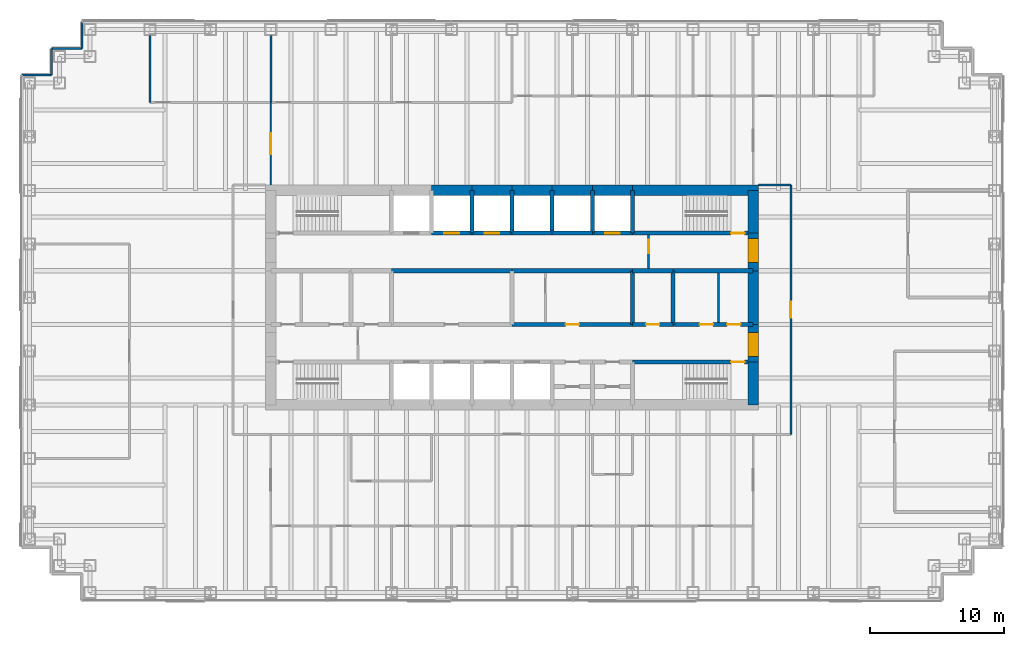
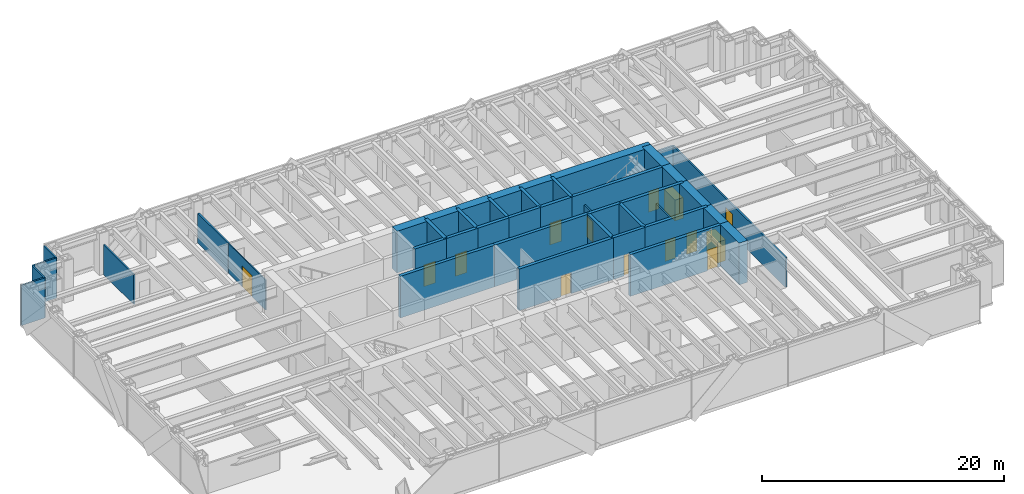
# One storey, part 13 of 16: 43 walls, 14 doors, 14 openings.
"""IFC4 building model written with IfcOpenShell, lengths in metres."""

from ifc_helpers import new_model, si_unit, direction, frame, frame_2d, origin, place, context, subcontext, project, spatial, rectangle, extrude, material, layer, layer_set, type_object, element, fill, save


model = new_model("IFC4")

# Units and contexts
model_context = context("Model", 3, precision=1e-05, world=origin(), true_north=direction((0.0, 1.0)))
body_context = subcontext(model_context, "Body", "Model", "MODEL_VIEW")
ifc_project = project(units=[si_unit("LENGTHUNIT", "METRE"), si_unit("AREAUNIT", "SQUARE_METRE"), si_unit("VOLUMEUNIT", "CUBIC_METRE"), si_unit("PLANEANGLEUNIT", "RADIAN"), si_unit("MASSUNIT", "GRAM", prefix="KILO")], contexts=[model_context])

# Site, building, storey
site_placement = place(None, origin())
site = spatial("IfcSite", under=ifc_project, at=site_placement, CompositionType="ELEMENT")
building_placement = place(site_placement, origin())
building = spatial("IfcBuilding", under=site, at=building_placement, Name="Rheinbord Bourse Tower", CompositionType="ELEMENT")
storey_placement = place(building_placement, frame((0.0, 0.0, 219.39990234375)))
storey = spatial("IfcBuildingStorey", under=building, at=storey_placement, Name="L49", CompositionType="ELEMENT", Elevation=219.39990234375)

# Wall, opening, door
ifc_material_1 = material(Name="Concrete C50/60", Category="concrete")
ifc_layer_1 = layer(ifc_material_1, 0.300048828125)
ifc_layer_set_1 = layer_set([ifc_layer_1], Name="CORE INNER WALL 300")
wall_type_1 = type_object("IfcWallType", Name="CORE INNER WALL 300", PredefinedType="SOLIDWALL", material=ifc_layer_set_1)
wall_1_placement = place(storey_placement, frame((45.0, 19.199951171875, 0.0), z_axis=(0.0, 0.0, 1.0), x_axis=(1.0, 0.0, 0.0)))
wall_1 = element("IfcWall", 1, at=wall_1_placement, inside=storey, type_object=wall_type_1, Name="Core wall A8 L49", PredefinedType="SOLIDWALL", context=body_context, shape_type="SweptSolid", body=[
    extrude(rectangle(XDim=9.0, YDim=0.300048828125, at=frame_2d((4.5, 0.0))), origin(), (0.0, 0.0, 1.0), 4.2001953125),
])
opening_1_placement = place(wall_1_placement, frame((7.35009765625, 0.0, 0.0)))
opening_1 = element("IfcOpeningElement", 2, at=opening_1_placement, cuts=wall_1, Name="Opening 4930", PredefinedType="OPENING", context=body_context, shape_type="SweptSolid", body=[
    extrude(rectangle(XDim=1.0, YDim=2.10009765625, at=frame_2d((0.5, 1.050048828125))), frame((0.0, 0.159912109375, 0.0), z_axis=(0.0, -1.0, 0.0), x_axis=(1.0, 0.0, 0.0)), (0.0, 0.0, 1.0), 0.320068359375),
])
ifc_material_2 = material(Name="Steel door", Category="steel")
door_type_1 = type_object("IfcDoorType", Name="DOOR 1000 EI30", OperationType="SINGLE_SWING_LEFT", PredefinedType="DOOR", material=ifc_material_2)
door_1_placement = place(opening_1_placement, origin())
door_1 = element("IfcDoor", 3, at=door_1_placement, inside=storey, type_object=door_type_1, Name="Stair door ST3 L49", OperationType="SINGLE_SWING_RIGHT", OverallHeight=2.10009765625, OverallWidth=1.0, PredefinedType="DOOR", context=body_context, shape_type="SweptSolid", body=[
    extrude(rectangle(XDim=1.0, YDim=2.10009765625, at=frame_2d((0.5, 1.050048828125))), frame((0.0, 0.02490234375, 0.0), z_axis=(0.0, -1.0, 0.0), x_axis=(1.0, 0.0, 0.0)), (0.0, 0.0, 1.0), 0.050048828125),
])
fill(opening_1, door_1)

wall_2_placement = place(storey_placement, frame((30.0, 28.800048828125, 0.0), z_axis=(0.0, 0.0, 1.0), x_axis=(1.0, 0.0, 0.0)))
wall_2 = element("IfcWall", 4, at=wall_2_placement, inside=storey, type_object=wall_type_1, Name="Core wall B3 L49", PredefinedType="SOLIDWALL", context=body_context, shape_type="SweptSolid", body=[
    extrude(rectangle(XDim=3.0, YDim=0.300048828125, at=frame_2d((1.5, 0.0))), origin(), (0.0, 0.0, 1.0), 4.2001953125),
])
opening_2_placement = place(wall_2_placement, frame((0.949951171875, 0.0, 0.0)))
opening_2 = element("IfcOpeningElement", 5, at=opening_2_placement, cuts=wall_2, Name="Opening PC4", PredefinedType="OPENING", context=body_context, shape_type="SweptSolid", body=[
    extrude(rectangle(XDim=1.10009765625, YDim=2.199951171875, at=frame_2d((0.550048828125, 1.10009765625))), frame((0.0, 0.159912109375, 0.0), z_axis=(0.0, -1.0, 0.0), x_axis=(1.0, 0.0, 0.0)), (0.0, 0.0, 1.0), 0.320068359375),
])
ifc_material_3 = material(Name="Steel landing door", Category="steel")
door_type_2 = type_object("IfcDoorType", Name="LIFT LANDING DOOR 1100", OperationType="DOUBLE_DOOR_SLIDING", PredefinedType="USERDEFINED", material=ifc_material_3)
door_2_placement = place(opening_2_placement, origin())
door_2 = element("IfcDoor", 6, at=door_2_placement, inside=storey, type_object=door_type_2, Name="Lift landing door PC4 L49", ObjectType="LIFT LANDING DOOR", OperationType="DOUBLE_DOOR_SLIDING", OverallHeight=2.199951171875, OverallWidth=1.10009765625, PredefinedType="USERDEFINED", context=body_context, shape_type="SweptSolid", body=[
    extrude(rectangle(XDim=1.10009765625, YDim=2.199951171875, at=frame_2d((0.550048828125, 1.10009765625))), frame((0.0, 0.02490234375, 0.0), z_axis=(0.0, -1.0, 0.0), x_axis=(1.0, 0.0, 0.0)), (0.0, 0.0, 1.0), 0.050048828125),
])
fill(opening_2, door_2)

wall_3_placement = place(storey_placement, frame((33.0, 28.800048828125, 0.0), z_axis=(0.0, 0.0, 1.0), x_axis=(1.0, 0.0, 0.0)))
wall_3 = element("IfcWall", 7, at=wall_3_placement, inside=storey, type_object=wall_type_1, Name="Core wall B4 L49", PredefinedType="SOLIDWALL", context=body_context, shape_type="SweptSolid", body=[
    extrude(rectangle(XDim=3.0, YDim=0.300048828125, at=frame_2d((1.5, 0.0))), origin(), (0.0, 0.0, 1.0), 4.2001953125),
])
opening_3_placement = place(wall_3_placement, frame((0.949951171875, 0.0, 0.0)))
opening_3 = element("IfcOpeningElement", 8, at=opening_3_placement, cuts=wall_3, Name="Opening PC5", PredefinedType="OPENING", context=body_context, shape_type="SweptSolid", body=[
    extrude(rectangle(XDim=1.10009765625, YDim=2.199951171875, at=frame_2d((0.550048828125, 1.10009765625))), frame((0.0, 0.159912109375, 0.0), z_axis=(0.0, -1.0, 0.0), x_axis=(1.0, 0.0, 0.0)), (0.0, 0.0, 1.0), 0.320068359375),
])
door_3_placement = place(opening_3_placement, origin())
door_3 = element("IfcDoor", 9, at=door_3_placement, inside=storey, type_object=door_type_2, Name="Lift landing door PC5 L49", ObjectType="LIFT LANDING DOOR", OperationType="DOUBLE_DOOR_SLIDING", OverallHeight=2.199951171875, OverallWidth=1.10009765625, PredefinedType="USERDEFINED", context=body_context, shape_type="SweptSolid", body=[
    extrude(rectangle(XDim=1.10009765625, YDim=2.199951171875, at=frame_2d((0.550048828125, 1.10009765625))), frame((0.0, 0.02490234375, 0.0), z_axis=(0.0, -1.0, 0.0), x_axis=(1.0, 0.0, 0.0)), (0.0, 0.0, 1.0), 0.050048828125),
])
fill(opening_3, door_3)

# Walls
for number, where, z_axis, x_axis, name in (
    (10, (36.0, 28.800048828125, 0.0), (0.0, 0.0, 1.0), (1.0, 0.0, 0.0), "Core wall B5 L49"),
    (11, (39.0, 28.800048828125, 0.0), (0.0, 0.0, 1.0), (1.0, 0.0, 0.0), "Core wall B6 L49"),
):
    element("IfcWall", number, at=place(storey_placement, frame(where, z_axis=z_axis, x_axis=x_axis)), inside=storey, type_object=wall_type_1, Name=name, PredefinedType="SOLIDWALL", context=body_context, shape_type="SweptSolid", body=[
        extrude(rectangle(XDim=3.0, YDim=0.300048828125, at=frame_2d((1.5, 0.0))), origin(), (0.0, 0.0, 1.0), 4.2001953125),
    ])

# Wall, opening, door
wall_4_placement = place(storey_placement, frame((42.0, 28.800048828125, 0.0), z_axis=(0.0, 0.0, 1.0), x_axis=(1.0, 0.0, 0.0)))
wall_4 = element("IfcWall", 12, at=wall_4_placement, inside=storey, type_object=wall_type_1, Name="Core wall B7 L49", PredefinedType="SOLIDWALL", context=body_context, shape_type="SweptSolid", body=[
    extrude(rectangle(XDim=3.0, YDim=0.300048828125, at=frame_2d((1.5, 0.0))), origin(), (0.0, 0.0, 1.0), 4.2001953125),
])
opening_4_placement = place(wall_4_placement, frame((0.949951171875, 0.0, 0.0)))
opening_4 = element("IfcOpeningElement", 13, at=opening_4_placement, cuts=wall_4, Name="Opening FL2", PredefinedType="OPENING", context=body_context, shape_type="SweptSolid", body=[
    extrude(rectangle(XDim=1.10009765625, YDim=2.199951171875, at=frame_2d((0.550048828125, 1.10009765625))), frame((0.0, 0.159912109375, 0.0), z_axis=(0.0, -1.0, 0.0), x_axis=(1.0, 0.0, 0.0)), (0.0, 0.0, 1.0), 0.320068359375),
])
door_4_placement = place(opening_4_placement, origin())
door_4 = element("IfcDoor", 14, at=door_4_placement, inside=storey, type_object=door_type_2, Name="Lift landing door FL2 L49", ObjectType="LIFT LANDING DOOR", OperationType="DOUBLE_DOOR_SLIDING", OverallHeight=2.199951171875, OverallWidth=1.10009765625, PredefinedType="USERDEFINED", context=body_context, shape_type="SweptSolid", body=[
    extrude(rectangle(XDim=1.10009765625, YDim=2.199951171875, at=frame_2d((0.550048828125, 1.10009765625))), frame((0.0, 0.02490234375, 0.0), z_axis=(0.0, -1.0, 0.0), x_axis=(1.0, 0.0, 0.0)), (0.0, 0.0, 1.0), 0.050048828125),
])
fill(opening_4, door_4)

wall_5_placement = place(storey_placement, frame((45.0, 28.800048828125, 0.0), z_axis=(0.0, 0.0, 1.0), x_axis=(1.0, 0.0, 0.0)))
wall_5 = element("IfcWall", 15, at=wall_5_placement, inside=storey, type_object=wall_type_1, Name="Core wall B8 L49", PredefinedType="SOLIDWALL", context=body_context, shape_type="SweptSolid", body=[
    extrude(rectangle(XDim=9.0, YDim=0.300048828125, at=frame_2d((4.5, 0.0))), origin(), (0.0, 0.0, 1.0), 4.2001953125),
])
opening_5_placement = place(wall_5_placement, frame((7.35009765625, 0.0, 0.0)))
opening_5 = element("IfcOpeningElement", 16, at=opening_5_placement, cuts=wall_5, Name="Opening 4940", PredefinedType="OPENING", context=body_context, shape_type="SweptSolid", body=[
    extrude(rectangle(XDim=1.0, YDim=2.10009765625, at=frame_2d((0.5, 1.050048828125))), frame((0.0, 0.159912109375, 0.0), z_axis=(0.0, -1.0, 0.0), x_axis=(1.0, 0.0, 0.0)), (0.0, 0.0, 1.0), 0.320068359375),
])
door_5_placement = place(opening_5_placement, origin())
door_5 = element("IfcDoor", 17, at=door_5_placement, inside=storey, type_object=door_type_1, Name="Stair door ST4 L49", OperationType="SINGLE_SWING_RIGHT", OverallHeight=2.10009765625, OverallWidth=1.0, PredefinedType="DOOR", context=body_context, shape_type="SweptSolid", body=[
    extrude(rectangle(XDim=1.0, YDim=2.10009765625, at=frame_2d((0.5, 1.050048828125))), frame((0.0, 0.02490234375, 0.0), z_axis=(0.0, -1.0, 0.0), x_axis=(1.0, 0.0, 0.0)), (0.0, 0.0, 1.0), 0.050048828125),
])
fill(opening_5, door_5)

wall_6_placement = place(storey_placement, frame((36.0, 22.0, 0.0), z_axis=(0.0, 0.0, 1.0), x_axis=(1.0, 0.0, 0.0)))
wall_6 = element("IfcWall", 18, at=wall_6_placement, inside=storey, type_object=wall_type_1, Name="Core wall C4 L49", PredefinedType="SOLIDWALL", context=body_context, shape_type="SweptSolid", body=[
    extrude(rectangle(XDim=9.0, YDim=0.300048828125, at=frame_2d((4.5, 0.0))), origin(), (0.0, 0.0, 1.0), 4.2001953125),
])
opening_6_placement = place(wall_6_placement, frame((4.0, 0.0, 0.0)))
opening_6 = element("IfcOpeningElement", 19, at=opening_6_placement, cuts=wall_6, Name="Opening 49R4", PredefinedType="OPENING", context=body_context, shape_type="SweptSolid", body=[
    extrude(rectangle(XDim=1.0, YDim=2.10009765625, at=frame_2d((0.5, 1.050048828125))), frame((0.0, 0.159912109375, 0.0), z_axis=(0.0, -1.0, 0.0), x_axis=(1.0, 0.0, 0.0)), (0.0, 0.0, 1.0), 0.320068359375),
])
door_6_placement = place(opening_6_placement, origin())
door_6 = element("IfcDoor", 20, at=door_6_placement, inside=storey, type_object=door_type_1, Name="Store door L49", OperationType="SINGLE_SWING_LEFT", OverallHeight=2.10009765625, OverallWidth=1.0, PredefinedType="DOOR", context=body_context, shape_type="SweptSolid", body=[
    extrude(rectangle(XDim=1.0, YDim=2.10009765625, at=frame_2d((0.5, 1.050048828125))), frame((0.0, 0.02490234375, 0.0), z_axis=(0.0, -1.0, 0.0), x_axis=(1.0, 0.0, 0.0)), (0.0, 0.0, 1.0), 0.050048828125),
])
fill(opening_6, door_6)

wall_7_placement = place(storey_placement, frame((45.0, 22.0, 0.0), z_axis=(0.0, 0.0, 1.0), x_axis=(1.0, 0.0, 0.0)))
wall_7 = element("IfcWall", 21, at=wall_7_placement, inside=storey, type_object=wall_type_1, Name="Core wall C5 L49", PredefinedType="SOLIDWALL", context=body_context, shape_type="SweptSolid", body=[
    extrude(rectangle(XDim=3.0, YDim=0.300048828125, at=frame_2d((1.5, 0.0))), origin(), (0.0, 0.0, 1.0), 4.2001953125),
])
opening_7_placement = place(wall_7_placement, frame((1.0, 0.0, 0.0)))
opening_7 = element("IfcOpeningElement", 22, at=opening_7_placement, cuts=wall_7, Name="Opening 49R5", PredefinedType="OPENING", context=body_context, shape_type="SweptSolid", body=[
    extrude(rectangle(XDim=1.0, YDim=2.10009765625, at=frame_2d((0.5, 1.050048828125))), frame((0.0, 0.159912109375, 0.0), z_axis=(0.0, -1.0, 0.0), x_axis=(1.0, 0.0, 0.0)), (0.0, 0.0, 1.0), 0.320068359375),
])
ifc_material_4 = material(Name="Timber door", Category="wood")
door_type_3 = type_object("IfcDoorType", Name="DOOR 1000 WC", OperationType="SINGLE_SWING_LEFT", PredefinedType="DOOR", material=ifc_material_4)
door_7_placement = place(opening_7_placement, origin())
door_7 = element("IfcDoor", 23, at=door_7_placement, inside=storey, type_object=door_type_3, Name="Accessible WC door L49", OperationType="SINGLE_SWING_LEFT", OverallHeight=2.10009765625, OverallWidth=1.0, PredefinedType="DOOR", context=body_context, shape_type="SweptSolid", body=[
    extrude(rectangle(XDim=1.0, YDim=2.10009765625, at=frame_2d((0.5, 1.050048828125))), frame((0.0, 0.02490234375, 0.0), z_axis=(0.0, -1.0, 0.0), x_axis=(1.0, 0.0, 0.0)), (0.0, 0.0, 1.0), 0.050048828125),
])
fill(opening_7, door_7)

# Wall, openings, doors
wall_8_placement = place(storey_placement, frame((48.0, 22.0, 0.0), z_axis=(0.0, 0.0, 1.0), x_axis=(1.0, 0.0, 0.0)))
wall_8 = element("IfcWall", 24, at=wall_8_placement, inside=storey, type_object=wall_type_1, Name="Core wall C6 L49", PredefinedType="SOLIDWALL", context=body_context, shape_type="SweptSolid", body=[
    extrude(rectangle(XDim=6.0, YDim=0.300048828125, at=frame_2d((3.0, 0.0))), origin(), (0.0, 0.0, 1.0), 4.2001953125),
])
opening_8_placement = place(wall_8_placement, frame((2.0, 0.0, 0.0)))
opening_8 = element("IfcOpeningElement", 25, at=opening_8_placement, cuts=wall_8, Name="Opening 49R6", PredefinedType="OPENING", context=body_context, shape_type="SweptSolid", body=[
    extrude(rectangle(XDim=1.0, YDim=2.10009765625, at=frame_2d((0.5, 1.050048828125))), frame((0.0, 0.159912109375, 0.0), z_axis=(0.0, -1.0, 0.0), x_axis=(1.0, 0.0, 0.0)), (0.0, 0.0, 1.0), 0.320068359375),
])
opening_9_placement = place(wall_8_placement, frame((4.050048828125, 0.0, 0.0)))
opening_9 = element("IfcOpeningElement", 26, at=opening_9_placement, cuts=wall_8, Name="Opening 49R10", PredefinedType="OPENING", context=body_context, shape_type="SweptSolid", body=[
    extrude(rectangle(XDim=1.0, YDim=2.10009765625, at=frame_2d((0.5, 1.050048828125))), frame((0.0, 0.159912109375, 0.0), z_axis=(0.0, -1.0, 0.0), x_axis=(1.0, 0.0, 0.0)), (0.0, 0.0, 1.0), 0.320068359375),
])
door_8_placement = place(opening_9_placement, origin())
door_8 = element("IfcDoor", 27, at=door_8_placement, inside=storey, type_object=door_type_1, Name="Baby change door L49", OperationType="SINGLE_SWING_RIGHT", OverallHeight=2.10009765625, OverallWidth=1.0, PredefinedType="DOOR", context=body_context, shape_type="SweptSolid", body=[
    extrude(rectangle(XDim=1.0, YDim=2.10009765625, at=frame_2d((0.5, 1.050048828125))), frame((0.0, 0.02490234375, 0.0), z_axis=(0.0, -1.0, 0.0), x_axis=(1.0, 0.0, 0.0)), (0.0, 0.0, 1.0), 0.050048828125),
])
fill(opening_9, door_8)
door_9_placement = place(opening_8_placement, origin())
door_9 = element("IfcDoor", 28, at=door_9_placement, inside=storey, type_object=door_type_3, Name="WC women door L49", OperationType="SINGLE_SWING_LEFT", OverallHeight=2.10009765625, OverallWidth=1.0, PredefinedType="DOOR", context=body_context, shape_type="SweptSolid", body=[
    extrude(rectangle(XDim=1.0, YDim=2.10009765625, at=frame_2d((0.5, 1.050048828125))), frame((0.0, 0.02490234375, 0.0), z_axis=(0.0, -1.0, 0.0), x_axis=(1.0, 0.0, 0.0)), (0.0, 0.0, 1.0), 0.050048828125),
])
fill(opening_8, door_9)

# Walls
for number, where, z_axis, x_axis, name in (
    (29, (27.0, 26.0, 0.0), (0.0, 0.0, 1.0), (1.0, 0.0, 0.0), "Core wall D3 L49"),
    (30, (36.0, 26.0, 0.0), (0.0, 0.0, 1.0), (1.0, 0.0, 0.0), "Core wall D4 L49"),
):
    element("IfcWall", number, at=place(storey_placement, frame(where, z_axis=z_axis, x_axis=x_axis)), inside=storey, type_object=wall_type_1, Name=name, PredefinedType="SOLIDWALL", context=body_context, shape_type="SweptSolid", body=[
        extrude(rectangle(XDim=9.0, YDim=0.300048828125, at=frame_2d((4.5, 0.0))), origin(), (0.0, 0.0, 1.0), 4.2001953125),
    ])
wall_9_placement = place(storey_placement, frame((45.0, 26.0, 0.0), z_axis=(0.0, 0.0, 1.0), x_axis=(1.0, 0.0, 0.0)))
element("IfcWall", 31, at=wall_9_placement, inside=storey, type_object=wall_type_1, Name="Core wall D5 L49", PredefinedType="SOLIDWALL", context=body_context, shape_type="SweptSolid", body=[
    extrude(rectangle(XDim=3.0, YDim=0.300048828125, at=frame_2d((1.5, 0.0))), origin(), (0.0, 0.0, 1.0), 4.2001953125),
])
wall_10_placement = place(storey_placement, frame((48.0, 26.0, 0.0), z_axis=(0.0, 0.0, 1.0), x_axis=(1.0, 0.0, 0.0)))
element("IfcWall", 32, at=wall_10_placement, inside=storey, type_object=wall_type_1, Name="Core wall D6 L49", PredefinedType="SOLIDWALL", context=body_context, shape_type="SweptSolid", body=[
    extrude(rectangle(XDim=6.0, YDim=0.300048828125, at=frame_2d((3.0, 0.0))), origin(), (0.0, 0.0, 1.0), 4.2001953125),
])
for number, where, z_axis, x_axis, name in (
    (33, (33.0, 28.800048828125, 0.0), (0.0, 0.0, 1.0), (0.0, 1.0, 0.0), "Core wall NX33 L49"),
    (34, (36.0, 28.800048828125, 0.0), (0.0, 0.0, 1.0), (0.0, 1.0, 0.0), "Core wall NX36 L49"),
    (35, (39.0, 28.800048828125, 0.0), (0.0, 0.0, 1.0), (0.0, 1.0, 0.0), "Core wall NX39 L49"),
    (36, (42.0, 28.800048828125, 0.0), (0.0, 0.0, 1.0), (0.0, 1.0, 0.0), "Core wall NX42 L49"),
    (37, (45.0, 28.800048828125, 0.0), (0.0, 0.0, 1.0), (0.0, 1.0, 0.0), "Core wall NX45 L49"),
):
    element("IfcWall", number, at=place(storey_placement, frame(where, z_axis=z_axis, x_axis=x_axis)), inside=storey, type_object=wall_type_1, Name=name, PredefinedType="SOLIDWALL", context=body_context, shape_type="SweptSolid", body=[
        extrude(rectangle(XDim=3.199951171875, YDim=0.300048828125, at=frame_2d((1.60009765625, 0.0))), origin(), (0.0, 0.0, 1.0), 4.2001953125),
    ])
for number, where, z_axis, x_axis, name in (
    (38, (45.0, 22.0, 0.0), (0.0, 0.0, 1.0), (0.0, 1.0, 0.0), "Core wall MX45 L49"),
    (39, (48.0, 22.0, 0.0), (0.0, 0.0, 1.0), (0.0, 1.0, 0.0), "Core wall MX48 L49"),
):
    element("IfcWall", number, at=place(storey_placement, frame(where, z_axis=z_axis, x_axis=x_axis)), inside=storey, type_object=wall_type_1, Name=name, PredefinedType="SOLIDWALL", context=body_context, shape_type="SweptSolid", body=[
        extrude(rectangle(XDim=4.0, YDim=0.300048828125, at=frame_2d((2.0, 0.0))), origin(), (0.0, 0.0, 1.0), 4.2001953125),
    ])
ifc_material_5 = material(Name="Gypsum board fire partition", Category="gypsum board")
ifc_layer_2 = layer(ifc_material_5, 0.14990234375)
ifc_layer_set_2 = layer_set([ifc_layer_2], Name="CORE PARTITION 150 EI30")
wall_type_2 = type_object("IfcWallType", Name="CORE PARTITION 150 EI30", PredefinedType="PARTITIONING", material=ifc_layer_set_2)
wall_11_placement = place(storey_placement, frame((51.425048828125, 22.14990234375, 0.0), z_axis=(0.0, 0.0, 1.0), x_axis=(0.0, 1.0, 0.0)))
element("IfcWall", 40, at=wall_11_placement, inside=storey, type_object=wall_type_2, Name="Core partition L49-3", PredefinedType="PARTITIONING", context=body_context, shape_type="SweptSolid", body=[
    extrude(rectangle(XDim=3.7001953125, YDim=0.14990234375, at=frame_2d((1.85009765625, 0.0))), origin(), (0.0, 0.0, 1.0), 3.0),
])

# Wall, opening, door
wall_12_placement = place(storey_placement, frame((46.199951171875, 26.14990234375, 0.0), z_axis=(0.0, 0.0, 1.0), x_axis=(0.0, 1.0, 0.0)))
wall_12 = element("IfcWall", 41, at=wall_12_placement, inside=storey, type_object=wall_type_2, Name="Core partition L49-5", PredefinedType="PARTITIONING", context=body_context, shape_type="SweptSolid", body=[
    extrude(rectangle(XDim=2.5, YDim=0.14990234375, at=frame_2d((1.25, 0.0))), origin(), (0.0, 0.0, 1.0), 3.0),
])
opening_10_placement = place(wall_12_placement, frame((1.14990234375, 0.0, 0.0)))
opening_10 = element("IfcOpeningElement", 42, at=opening_10_placement, cuts=wall_12, Name="Opening 49L6", PredefinedType="OPENING", context=body_context, shape_type="SweptSolid", body=[
    extrude(rectangle(XDim=1.0, YDim=2.10009765625, at=frame_2d((0.5, 1.050048828125))), frame((0.0, 0.0849609375, 0.0), z_axis=(0.0, -1.0, 0.0), x_axis=(1.0, 0.0, 0.0)), (0.0, 0.0, 1.0), 0.169921875),
])
door_10_placement = place(opening_10_placement, origin())
door_10 = element("IfcDoor", 43, at=door_10_placement, inside=storey, type_object=door_type_1, Name="Stair lobby door L49", OperationType="SINGLE_SWING_RIGHT", OverallHeight=2.10009765625, OverallWidth=1.0, PredefinedType="DOOR", context=body_context, shape_type="SweptSolid", body=[
    extrude(rectangle(XDim=1.0, YDim=2.10009765625, at=frame_2d((0.5, 1.050048828125))), frame((0.0, 0.02490234375, 0.0), z_axis=(0.0, -1.0, 0.0), x_axis=(1.0, 0.0, 0.0)), (0.0, 0.0, 1.0), 0.050048828125),
])
fill(opening_10, door_10)

# Walls
ifc_material_6 = material(Name="Concrete C50/60", Category="concrete")
ifc_layer_3 = layer(ifc_material_6, 0.800048828125)
ifc_layer_set_3 = layer_set([ifc_layer_3], Name="CORE WALL 800")
wall_type_3 = type_object("IfcWallType", Name="CORE WALL 800", PredefinedType="SHEAR", material=ifc_layer_set_3)
wall_13_placement = place(storey_placement, frame((54.39990234375, 32.0, 0.0), z_axis=(0.0, 0.0, 1.0), x_axis=(-1.0, 0.0, 0.0)))
element("IfcWall", 44, at=wall_13_placement, inside=storey, type_object=wall_type_3, Name="Core wall N1 L49", PredefinedType="SHEAR", context=body_context, shape_type="SweptSolid", body=[
    extrude(rectangle(XDim=9.39990234375, YDim=0.800048828125, at=frame_2d((4.699951171875, 0.0))), origin(), (0.0, 0.0, 1.0), 4.2001953125),
])
for number, where, z_axis, x_axis, name in (
    (45, (45.0, 32.0, 0.0), (0.0, 0.0, 1.0), (-1.0, 0.0, 0.0), "Core wall N2 L49"),
    (46, (42.0, 32.0, 0.0), (0.0, 0.0, 1.0), (-1.0, 0.0, 0.0), "Core wall N3 L49"),
    (47, (39.0, 32.0, 0.0), (0.0, 0.0, 1.0), (-1.0, 0.0, 0.0), "Core wall N4 L49"),
    (48, (36.0, 32.0, 0.0), (0.0, 0.0, 1.0), (-1.0, 0.0, 0.0), "Core wall N5 L49"),
    (49, (33.0, 32.0, 0.0), (0.0, 0.0, 1.0), (-1.0, 0.0, 0.0), "Core wall N6 L49"),
):
    element("IfcWall", number, at=place(storey_placement, frame(where, z_axis=z_axis, x_axis=x_axis)), inside=storey, type_object=wall_type_3, Name=name, PredefinedType="SHEAR", context=body_context, shape_type="SweptSolid", body=[
        extrude(rectangle(XDim=3.0, YDim=0.800048828125, at=frame_2d((1.5, 0.0))), origin(), (0.0, 0.0, 1.0), 4.2001953125),
    ])
wall_14_placement = place(storey_placement, frame((54.0, 16.0, 0.0), z_axis=(0.0, 0.0, 1.0), x_axis=(0.0, 1.0, 0.0)))
element("IfcWall", 50, at=wall_14_placement, inside=storey, type_object=wall_type_3, Name="Core wall E1 L49", PredefinedType="SHEAR", context=body_context, shape_type="SweptSolid", body=[
    extrude(rectangle(XDim=3.199951171875, YDim=0.800048828125, at=frame_2d((1.60009765625, 0.0))), origin(), (0.0, 0.0, 1.0), 4.2001953125),
])

# Wall, opening, door
wall_15_placement = place(storey_placement, frame((54.0, 19.199951171875, 0.0), z_axis=(0.0, 0.0, 1.0), x_axis=(0.0, 1.0, 0.0)))
wall_15 = element("IfcWall", 51, at=wall_15_placement, inside=storey, type_object=wall_type_3, Name="Core wall E2 L49", PredefinedType="SHEAR", context=body_context, shape_type="SweptSolid", body=[
    extrude(rectangle(XDim=2.800048828125, YDim=0.800048828125, at=frame_2d((1.39990234375, 0.0))), origin(), (0.0, 0.0, 1.0), 4.2001953125),
])
opening_11_placement = place(wall_15_placement, frame((0.39990234375, 0.0, 0.0)))
opening_11 = element("IfcOpeningElement", 52, at=opening_11_placement, cuts=wall_15, Name="Opening 49L3", PredefinedType="OPENING", context=body_context, shape_type="SweptSolid", body=[
    extrude(rectangle(XDim=1.800048828125, YDim=2.10009765625, at=frame_2d((0.89990234375, 1.050048828125))), frame((0.0, 0.409912109375, 0.0), z_axis=(0.0, -1.0, 0.0), x_axis=(1.0, 0.0, 0.0)), (0.0, 0.0, 1.0), 0.820068359375),
])
ifc_material_7 = material(Name="Steel door", Category="steel")
door_type_4 = type_object("IfcDoorType", Name="DOOR 1800 EI30 DOUBLE", OperationType="DOUBLE_DOOR_DOUBLE_SWING", PredefinedType="DOOR", material=ifc_material_7)
door_11_placement = place(opening_11_placement, origin())
door_11 = element("IfcDoor", 53, at=door_11_placement, inside=storey, type_object=door_type_4, Name="Lobby door 3 L49", OperationType="SINGLE_SWING_LEFT", OverallHeight=2.10009765625, OverallWidth=1.800048828125, PredefinedType="DOOR", context=body_context, shape_type="SweptSolid", body=[
    extrude(rectangle(XDim=1.800048828125, YDim=2.10009765625, at=frame_2d((0.89990234375, 1.050048828125))), frame((0.0, 0.39990234375, 0.0), z_axis=(0.0, -1.0, 0.0), x_axis=(1.0, 0.0, 0.0)), (0.0, 0.0, 1.0), 0.799560546875),
])
fill(opening_11, door_11)

# Wall
wall_16_placement = place(storey_placement, frame((54.0, 22.0, 0.0), z_axis=(0.0, 0.0, 1.0), x_axis=(0.0, 1.0, 0.0)))
element("IfcWall", 54, at=wall_16_placement, inside=storey, type_object=wall_type_3, Name="Core wall E3 L49", PredefinedType="SHEAR", context=body_context, shape_type="SweptSolid", body=[
    extrude(rectangle(XDim=4.0, YDim=0.800048828125, at=frame_2d((2.0, 0.0))), origin(), (0.0, 0.0, 1.0), 4.2001953125),
])

# Wall, opening, door
wall_17_placement = place(storey_placement, frame((54.0, 26.0, 0.0), z_axis=(0.0, 0.0, 1.0), x_axis=(0.0, 1.0, 0.0)))
wall_17 = element("IfcWall", 55, at=wall_17_placement, inside=storey, type_object=wall_type_3, Name="Core wall E4 L49", PredefinedType="SHEAR", context=body_context, shape_type="SweptSolid", body=[
    extrude(rectangle(XDim=2.800048828125, YDim=0.800048828125, at=frame_2d((1.39990234375, 0.0))), origin(), (0.0, 0.0, 1.0), 4.2001953125),
])
opening_12_placement = place(wall_17_placement, frame((0.60009765625, 0.0, 0.0)))
opening_12 = element("IfcOpeningElement", 56, at=opening_12_placement, cuts=wall_17, Name="Opening 49L4", PredefinedType="OPENING", context=body_context, shape_type="SweptSolid", body=[
    extrude(rectangle(XDim=1.800048828125, YDim=2.10009765625, at=frame_2d((0.89990234375, 1.050048828125))), frame((0.0, 0.409912109375, 0.0), z_axis=(0.0, -1.0, 0.0), x_axis=(1.0, 0.0, 0.0)), (0.0, 0.0, 1.0), 0.820068359375),
])
door_12_placement = place(opening_12_placement, origin())
door_12 = element("IfcDoor", 57, at=door_12_placement, inside=storey, type_object=door_type_4, Name="Lobby door 4 L49", OperationType="SINGLE_SWING_LEFT", OverallHeight=2.10009765625, OverallWidth=1.800048828125, PredefinedType="DOOR", context=body_context, shape_type="SweptSolid", body=[
    extrude(rectangle(XDim=1.800048828125, YDim=2.10009765625, at=frame_2d((0.89990234375, 1.050048828125))), frame((0.0, 0.39990234375, 0.0), z_axis=(0.0, -1.0, 0.0), x_axis=(1.0, 0.0, 0.0)), (0.0, 0.0, 1.0), 0.799560546875),
])
fill(opening_12, door_12)

# Walls
wall_18_placement = place(storey_placement, frame((54.0, 28.800048828125, 0.0), z_axis=(0.0, 0.0, 1.0), x_axis=(0.0, 1.0, 0.0)))
element("IfcWall", 58, at=wall_18_placement, inside=storey, type_object=wall_type_3, Name="Core wall E5 L49", PredefinedType="SHEAR", context=body_context, shape_type="SweptSolid", body=[
    extrude(rectangle(XDim=3.199951171875, YDim=0.800048828125, at=frame_2d((1.60009765625, 0.0))), origin(), (0.0, 0.0, 1.0), 4.2001953125),
])
ifc_material_8 = material(Name="Black metal rainscreen panel", Category="aluminium")
ifc_layer_4 = layer(ifc_material_8, 0.14990234375)
ifc_layer_set_4 = layer_set([ifc_layer_4], Name="CORNER PIER CLADDING 150")
wall_type_4 = type_object("IfcWallType", Name="CORNER PIER CLADDING 150", PredefinedType="ELEMENTEDWALL", material=ifc_layer_set_4)
wall_19_placement = place(storey_placement, frame((3.89990234375, 44.60009765625, 0.0), z_axis=(0.0, 0.0, 1.0), x_axis=(0.0, -1.0, 0.0)))
element("IfcWall", 59, at=wall_19_placement, inside=storey, type_object=wall_type_4, Name="Corner pier cladding L49 12", PredefinedType="ELEMENTEDWALL", context=body_context, shape_type="SweptSolid", body=[
    extrude(rectangle(XDim=2.0, YDim=0.14990234375, at=frame_2d((1.0, 0.0))), origin(), (0.0, 0.0, 1.0), 4.0400390625),
])
wall_20_placement = place(storey_placement, frame((3.89990234375, 42.60009765625, 0.0), z_axis=(0.0, 0.0, 1.0), x_axis=(-1.0, 0.0, 0.0)))
element("IfcWall", 60, at=wall_20_placement, inside=storey, type_object=wall_type_4, Name="Corner pier cladding L49 13", PredefinedType="ELEMENTEDWALL", context=body_context, shape_type="SweptSolid", body=[
    extrude(rectangle(XDim=2.25, YDim=0.14990234375, at=frame_2d((1.125, 0.0))), origin(), (0.0, 0.0, 1.0), 4.0400390625),
])
wall_21_placement = place(storey_placement, frame((1.64990234375, 42.60009765625, 0.0), z_axis=(0.0, 0.0, 1.0), x_axis=(0.0, -1.0, 0.0)))
element("IfcWall", 61, at=wall_21_placement, inside=storey, type_object=wall_type_4, Name="Corner pier cladding L49 14", PredefinedType="ELEMENTEDWALL", context=body_context, shape_type="SweptSolid", body=[
    extrude(rectangle(XDim=2.0, YDim=0.14990234375, at=frame_2d((1.0, 0.0))), origin(), (0.0, 0.0, 1.0), 4.0400390625),
])
wall_22_placement = place(storey_placement, frame((1.64990234375, 40.60009765625, 0.0), z_axis=(0.0, 0.0, 1.0), x_axis=(-1.0, 0.0, 0.0)))
element("IfcWall", 62, at=wall_22_placement, inside=storey, type_object=wall_type_4, Name="Corner pier cladding L49 15", PredefinedType="ELEMENTEDWALL", context=body_context, shape_type="SweptSolid", body=[
    extrude(rectangle(XDim=2.25, YDim=0.14990234375, at=frame_2d((1.125, 0.0))), origin(), (0.0, 0.0, 1.0), 4.0400390625),
])
ifc_material_9 = material(Name="Gypsum board corridor partition", Category="gypsum board")
ifc_layer_5 = layer(ifc_material_9, 0.14990234375)
ifc_layer_set_5 = layer_set([ifc_layer_5], Name="CORRIDOR PARTITION 150 EI30")
wall_type_5 = type_object("IfcWallType", Name="CORRIDOR PARTITION 150 EI30", PredefinedType="PARTITIONING", material=ifc_layer_set_5)
wall_23_placement = place(storey_placement, frame((54.39990234375, 32.39990234375, 0.0), z_axis=(0.0, 0.0, 1.0), x_axis=(1.0, 0.0, 0.0)))
element("IfcWall", 63, at=wall_23_placement, inside=storey, type_object=wall_type_5, Name="Partition L49-14", PredefinedType="PARTITIONING", context=body_context, shape_type="SweptSolid", body=[
    extrude(rectangle(XDim=2.400146484375, YDim=0.14990234375, at=frame_2d((1.2001953125, 0.0))), origin(), (0.0, 0.0, 1.0), 3.0),
])

# Wall, opening, door
wall_24_placement = place(storey_placement, frame((56.800048828125, 13.800048828125, 0.0), z_axis=(0.0, 0.0, 1.0), x_axis=(0.0, 1.0, 0.0)))
wall_24 = element("IfcWall", 64, at=wall_24_placement, inside=storey, type_object=wall_type_5, Name="Partition L49-44", PredefinedType="PARTITIONING", context=body_context, shape_type="SweptSolid", body=[
    extrude(rectangle(XDim=18.599853515625, YDim=0.14990234375, at=frame_2d((9.2998046875, 0.0))), origin(), (0.0, 0.0, 1.0), 3.0),
])
opening_13_placement = place(wall_24_placement, frame((8.699951171875, 0.0, 0.0)))
opening_13 = element("IfcOpeningElement", 65, at=opening_13_placement, cuts=wall_24, Name="Opening 49D28", PredefinedType="OPENING", context=body_context, shape_type="SweptSolid", body=[
    extrude(rectangle(XDim=1.199951171875, YDim=2.10009765625, at=frame_2d((0.60009765625, 1.050048828125))), frame((0.0, 0.0849609375, 0.0), z_axis=(0.0, -1.0, 0.0), x_axis=(1.0, 0.0, 0.0)), (0.0, 0.0, 1.0), 0.169921875),
])
ifc_material_10 = material(Name="Timber fire door", Category="wood")
door_type_5 = type_object("IfcDoorType", Name="SUITE ENTRANCE DOOR 1200 EI30", OperationType="SINGLE_SWING_LEFT", PredefinedType="DOOR", material=ifc_material_10)
door_13_placement = place(opening_13_placement, origin())
door_13 = element("IfcDoor", 66, at=door_13_placement, inside=storey, type_object=door_type_5, Name="Suite entrance 2 door L49", OperationType="SINGLE_SWING_LEFT", OverallHeight=2.10009765625, OverallWidth=1.199951171875, PredefinedType="DOOR", context=body_context, shape_type="SweptSolid", body=[
    extrude(rectangle(XDim=1.199951171875, YDim=2.10009765625, at=frame_2d((0.60009765625, 1.050048828125))), frame((0.0, 0.02490234375, 0.0), z_axis=(0.0, -1.0, 0.0), x_axis=(1.0, 0.0, 0.0)), (0.0, 0.0, 1.0), 0.050048828125),
])
fill(opening_13, door_13)

ifc_material_11 = material(Name="Toughened laminated glass partition", Category="glass")
ifc_layer_6 = layer(ifc_material_11, 0.10009765625)
ifc_layer_set_6 = layer_set([ifc_layer_6], Name="GLAZED PARTITION 100")
wall_type_6 = type_object("IfcWallType", Name="GLAZED PARTITION 100", PredefinedType="PARTITIONING", material=ifc_layer_set_6)
wall_25_placement = place(storey_placement, frame((18.0, 32.39990234375, 0.0), z_axis=(0.0, 0.0, 1.0), x_axis=(0.0, 1.0, 0.0)))
wall_25 = element("IfcWall", 67, at=wall_25_placement, inside=storey, type_object=wall_type_6, Name="Partition L49-22", PredefinedType="PARTITIONING", context=body_context, shape_type="SweptSolid", body=[
    extrude(rectangle(XDim=6.150146484375, YDim=0.10009765625, at=frame_2d((3.0751953125, 0.0))), origin(), (0.0, 0.0, 1.0), 3.0),
])
opening_14_placement = place(wall_25_placement, frame((2.27490234375, 0.0, 0.0)))
opening_14 = element("IfcOpeningElement", 68, at=opening_14_placement, cuts=wall_25, Name="Opening 49D24", PredefinedType="OPENING", context=body_context, shape_type="SweptSolid", body=[
    extrude(rectangle(XDim=1.60009765625, YDim=2.10009765625, at=frame_2d((0.800048828125, 1.050048828125))), frame((0.0, 0.06005859375, 0.0), z_axis=(0.0, -1.0, 0.0), x_axis=(1.0, 0.0, 0.0)), (0.0, 0.0, 1.0), 0.1201171875),
])
ifc_material_12 = material(Name="Timber door", Category="wood")
door_type_6 = type_object("IfcDoorType", Name="DOUBLE ROOM DOOR 1600", OperationType="DOUBLE_DOOR_DOUBLE_SWING", PredefinedType="DOOR", material=ifc_material_12)
door_14_placement = place(opening_14_placement, origin())
door_14 = element("IfcDoor", 69, at=door_14_placement, inside=storey, type_object=door_type_6, Name="Open area door L49", OperationType="SINGLE_SWING_LEFT", OverallHeight=2.10009765625, OverallWidth=1.60009765625, PredefinedType="DOOR", context=body_context, shape_type="SweptSolid", body=[
    extrude(rectangle(XDim=1.60009765625, YDim=2.10009765625, at=frame_2d((0.800048828125, 1.050048828125))), frame((0.0, 0.02490234375, 0.0), z_axis=(0.0, -1.0, 0.0), x_axis=(1.0, 0.0, 0.0)), (0.0, 0.0, 1.0), 0.050048828125),
])
fill(opening_14, door_14)

# Walls
ifc_material_13 = material(Name="Gypsum board partition", Category="gypsum board")
ifc_layer_7 = layer(ifc_material_13, 0.14990234375)
ifc_layer_set_7 = layer_set([ifc_layer_7], Name="PARTITION 150")
wall_type_7 = type_object("IfcWallType", Name="PARTITION 150", PredefinedType="PARTITIONING", material=ifc_layer_set_7)
for number, where, z_axis, x_axis, name in (
    (70, (9.0, 38.550048828125, 0.0), (0.0, 0.0, 1.0), (0.0, 1.0, 0.0), "Partition L49-18"),
    (71, (18.0, 38.550048828125, 0.0), (0.0, 0.0, 1.0), (0.0, 1.0, 0.0), "Partition L49-23"),
):
    element("IfcWall", number, at=place(storey_placement, frame(where, z_axis=z_axis, x_axis=x_axis)), inside=storey, type_object=wall_type_7, Name=name, PredefinedType="PARTITIONING", context=body_context, shape_type="SweptSolid", body=[
        extrude(rectangle(XDim=5.0, YDim=0.14990234375, at=frame_2d((2.5, 0.0))), origin(), (0.0, 0.0, 1.0), 3.0),
    ])

save(model, "model.ifc")
